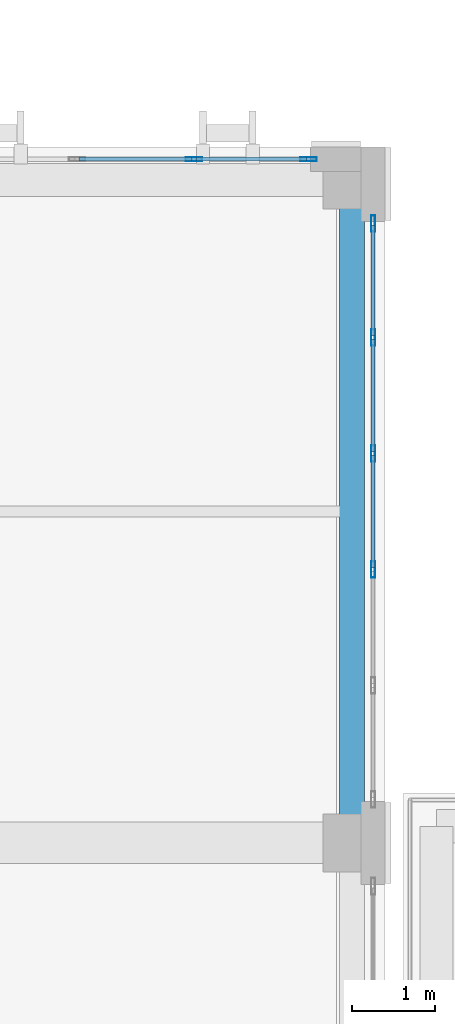
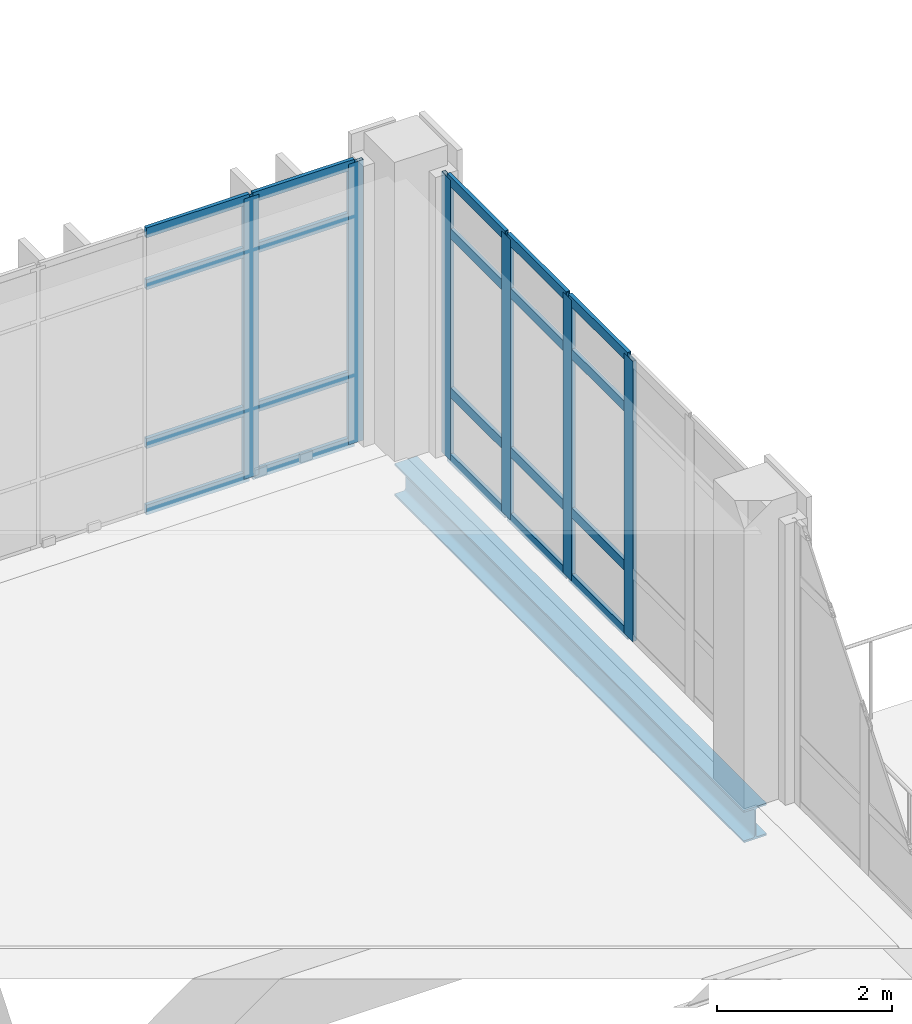
# One storey, part 53 of 165: 26 members, 1 beam, 2 elements without a shape of their own.
"""IFC4 building model written with IfcOpenShell, lengths in metres."""

import ifcopenshell
import ifcopenshell.guid

model = None  # the IFC model being written
_history = None  # IfcOwnerHistory: only IFC2X3 demands one
_inside = {}  # id of a spatial element -> (the spatial element, [elements in it])
_under = {}  # id of a project, library or spatial element -> (it, [spatial elements below it])
_declared = {}  # id of a project -> (the project, [libraries it declares])
_typed = {}  # id of a type object -> (the type object, [elements of that type])
_made_of = {}  # id of a material, layer set ... -> (it, [elements and type objects made of it])


def new_model(schema):
    """Start an empty IFC model of exactly this schema.

    Asked for "IFC4X3", IfcOpenShell would pick the latest addendum, in which some entities
    have other attributes; the version numbers below select the first issue.
    IFC2X3 requires an IfcOwnerHistory on every rooted entity: one is made here for all.
    """
    global model, _history
    if schema == "IFC4X3":
        model = ifcopenshell.file(schema_version=(4, 3, 0, 0))
    else:
        model = ifcopenshell.file(schema=schema)
    _inside.clear()
    _under.clear()
    _declared.clear()
    _typed.clear()
    _made_of.clear()
    _history = None
    if model.schema == "IFC2X3":
        org = make("IfcOrganization", Name="unknown")
        user = make(
            "IfcPersonAndOrganization",
            ThePerson=make("IfcPerson", FamilyName="unknown"),
            TheOrganization=org,
        )
        app = make(
            "IfcApplication",
            ApplicationDeveloper=org,
            Version="unknown",
            ApplicationFullName="unknown",
            ApplicationIdentifier="unknown",
        )
        _history = make(
            "IfcOwnerHistory",
            OwningUser=user,
            OwningApplication=app,
            ChangeAction="ADDED",
            CreationDate=0,
        )
    return model


def make(cls, **values):
    """One entity of the class cls with the attributes given. An attribute that is None is left unset."""
    return model.create_entity(
        cls, **{name: value for name, value in values.items() if value is not None}
    )


def rooted(cls, **values):
    """An entity with a GlobalId (a new one), such as an element, a storey or a relation."""
    return make(cls, GlobalId=ifcopenshell.guid.new(), OwnerHistory=_history, **values)


def si_unit(unit_type, name, prefix=None):
    """IfcSIUnit, for example si_unit("LENGTHUNIT", "METRE", prefix="MILLI")."""
    return make("IfcSIUnit", UnitType=unit_type, Prefix=prefix, Name=name)


def assignment(units):
    """IfcUnitAssignment: the units of a project."""
    return None if units is None else make("IfcUnitAssignment", Units=units)


def point(xyz):
    """IfcCartesianPoint."""
    return None if xyz is None else make("IfcCartesianPoint", Coordinates=xyz)


def direction(xyz):
    """IfcDirection."""
    return None if xyz is None else make("IfcDirection", DirectionRatios=xyz)


def frame(location, z_axis=None, x_axis=None):
    """IfcAxis2Placement3D, a coordinate frame: its origin and axes. An axis left out is left unset."""
    return make(
        "IfcAxis2Placement3D",
        Location=point(location),
        Axis=direction(z_axis),
        RefDirection=direction(x_axis),
    )


def frame_2d(location, x_axis=None):
    """IfcAxis2Placement2D, a coordinate frame in the plane: its origin and x axis."""
    return make(
        "IfcAxis2Placement2D", Location=point(location), RefDirection=direction(x_axis)
    )


def origin():
    """The frame at (0, 0, 0) with its axes left unset."""
    return frame((0.0, 0.0, 0.0))


def origin_2d():
    """The frame at (0, 0) in the plane with its x axis left unset."""
    return frame_2d((0.0, 0.0))


def place(relative_to, where):
    """IfcLocalPlacement: puts the frame where relative to a parent placement (None: the world)."""
    return make(
        "IfcLocalPlacement", PlacementRelTo=relative_to, RelativePlacement=where
    )


def context(
    kind, dimensions, precision=None, world=None, true_north=None, identifier=None
):
    """IfcGeometricRepresentationContext, for example the 3D "Model" context."""
    return make(
        "IfcGeometricRepresentationContext",
        ContextIdentifier=identifier,
        ContextType=kind,
        CoordinateSpaceDimension=dimensions,
        Precision=precision,
        WorldCoordinateSystem=world,
        TrueNorth=true_north,
    )


def subcontext(parent, identifier, kind, view, scale=None):
    """IfcGeometricRepresentationSubContext, for example "Body" below "Model"."""
    return make(
        "IfcGeometricRepresentationSubContext",
        ContextIdentifier=identifier,
        ContextType=kind,
        ParentContext=parent,
        TargetScale=scale,
        TargetView=view,
    )


def project(units=None, contexts=None):
    """IfcProject with its units and contexts."""
    return rooted(
        "IfcProject",
        Name="project",
        RepresentationContexts=contexts,
        UnitsInContext=assignment(units),
    )


def spatial(cls, under=None, at=None, **own):
    """A site, building, storey or space (cls), placed at a placement, below another one or the project."""
    s = rooted(cls, ObjectPlacement=at, **own)
    if under is not None:
        _under.setdefault(under.id(), (under, []))[1].append(s)
    return s


def profile(cls, at=None, kind="AREA", **sizes):
    """A parametric profile (cls). Its sizes go by their IFC names, for example OverallWidth=200.0."""
    return make(cls, ProfileType=kind, Position=at, **sizes)


def hollow_rectangle(**sizes):
    """IfcRectangleHollowProfileDef."""
    return profile("IfcRectangleHollowProfileDef", **sizes)


def i_section(**sizes):
    """IfcIShapeProfileDef."""
    return profile("IfcIShapeProfileDef", **sizes)


def extrude(swept, where, along, depth):
    """IfcExtrudedAreaSolid: the profile swept, set in the frame where, extruded along a direction by depth."""
    return make(
        "IfcExtrudedAreaSolid",
        SweptArea=swept,
        Position=where,
        ExtrudedDirection=direction(along),
        Depth=depth,
    )


def shape(context_of_items, identifier, shape_type, items):
    """IfcShapeRepresentation: the items that make up one representation, for example the "Body"."""
    return make(
        "IfcShapeRepresentation",
        ContextOfItems=context_of_items,
        RepresentationIdentifier=identifier,
        RepresentationType=shape_type,
        Items=items,
    )


def material(Name=None, Category=None):
    """IfcMaterial."""
    return make("IfcMaterial", Name=Name, Category=Category)


def layer(
    of_material, thickness, ventilated=None, Name=None, Category=None, Priority=None
):
    """IfcMaterialLayer: one layer of a wall or slab, of a material (None: an air gap)."""
    return make(
        "IfcMaterialLayer",
        Material=of_material,
        LayerThickness=thickness,
        IsVentilated=ventilated,
        Name=Name,
        Category=Category,
        Priority=Priority,
    )


def layer_set(layers, Name=None):
    """IfcMaterialLayerSet."""
    return make("IfcMaterialLayerSet", MaterialLayers=layers, LayerSetName=Name)


def material_profile(
    of_material, cross_section, Name=None, Category=None, Priority=None
):
    """IfcMaterialProfile: a cross section and its material."""
    return make(
        "IfcMaterialProfile",
        Name=Name,
        Material=of_material,
        Profile=cross_section,
        Priority=Priority,
        Category=Category,
    )


def profile_set(profiles, Name=None, composite=None):
    """IfcMaterialProfileSet."""
    return make(
        "IfcMaterialProfileSet",
        Name=Name,
        MaterialProfiles=profiles,
        CompositeProfile=composite,
    )


def made_of(thing, what):
    """Note that an element or type object is made of a material, layer set ...; save() writes the relation."""
    if what is not None:
        _made_of.setdefault(what.id(), (what, []))[1].append(thing)
    return thing


def type_object(cls, material=None, **own):
    """A type object (cls), such as IfcWallType, which elements share."""
    return made_of(rooted(cls, **own), material)


def element(
    cls,
    number,
    at=None,
    inside=None,
    cuts=None,
    type_object=None,
    material=None,
    context=None,
    identifier="Body",
    shape_type=None,
    held_by="IfcProductDefinitionShape",
    body=None,
    shapes=None,
    **own,
):
    """One element of the class cls, such as IfcWall. Its Tag is "e" and its number.

    at: its placement. inside: the storey or other place that contains it. cuts: it is an
    opening in that element (IfcRelVoidsElement). A single representation is given by context,
    identifier, shape_type and body (its items); several are given by shapes. held_by: the class
    of the entity that holds the representations. save() writes the other relations.
    """
    e = rooted(cls, Tag="e%d" % number, ObjectPlacement=at, **own)
    if body is not None:
        shapes = [shape(context, identifier, shape_type, body)]
    if shapes is not None:
        e.Representation = make(held_by, Representations=shapes)
    if inside is not None:
        _inside.setdefault(inside.id(), (inside, []))[1].append(e)
    if cuts is not None:
        rooted(
            "IfcRelVoidsElement", RelatingBuildingElement=cuts, RelatedOpeningElement=e
        )
    if type_object is not None:
        _typed.setdefault(type_object.id(), (type_object, []))[1].append(e)
    return made_of(e, material)


def aggregate(whole, parts):
    """IfcRelAggregates: a whole, such as a stair, and the parts it consists of."""
    return rooted("IfcRelAggregates", RelatingObject=whole, RelatedObjects=parts)


def save(model, path):
    """Write the relations noted so far, then the file.

    IfcRelAggregates (storeys below a building ...), IfcRelContainedInSpatialStructure (elements
    in a storey), IfcRelDefinesByType, IfcRelAssociatesMaterial and IfcRelDeclares: one each for
    every whole, place, type object, material and project.
    """
    for whole, parts in _under.values():
        aggregate(whole, parts)
    for where, things in _inside.values():
        rooted(
            "IfcRelContainedInSpatialStructure",
            RelatedElements=things,
            RelatingStructure=where,
        )
    for kind, things in _typed.values():
        rooted("IfcRelDefinesByType", RelatedObjects=things, RelatingType=kind)
    for what, things in _made_of.values():
        rooted("IfcRelAssociatesMaterial", RelatedObjects=things, RelatingMaterial=what)
    for by, libraries in _declared.values():
        rooted("IfcRelDeclares", RelatingContext=by, RelatedDefinitions=libraries)
    model.write(path)


model = new_model("IFC4")

# Units and contexts
model_context = context("Model", 3, precision=1e-05, world=origin(), true_north=direction((0.0, 1.0)))
body_context = subcontext(model_context, "Body", "Model", "MODEL_VIEW")
ifc_project = project(units=[si_unit("LENGTHUNIT", "METRE"), si_unit("AREAUNIT", "SQUARE_METRE"), si_unit("VOLUMEUNIT", "CUBIC_METRE"), si_unit("PLANEANGLEUNIT", "RADIAN"), si_unit("MASSUNIT", "GRAM", prefix="KILO")], contexts=[model_context])

# Site, building, storey
site_placement = place(None, origin())
site = spatial("IfcSite", under=ifc_project, at=site_placement, CompositionType="ELEMENT")
building_placement = place(site_placement, origin())
building = spatial("IfcBuilding", under=site, at=building_placement, Name="Qalavern Law Courts", CompositionType="ELEMENT")
storey_placement = place(building_placement, frame((0.0, 0.0, 14.39990234375)))
storey = spatial("IfcBuildingStorey", under=building, at=storey_placement, Name="L03", CompositionType="ELEMENT", Elevation=14.39990234375)

# Curtain wall, members
ifc_material_1 = material(Name="Anodised aluminium and insulated glazing", Category="aluminium")
ifc_layer = layer(ifc_material_1, 0.18505859375)
ifc_layer_set = layer_set([ifc_layer], Name="Anodised aluminium and insulated glazing")
curtain_wall_type = type_object("IfcCurtainWallType", Name="ENV-CW-HALL", PredefinedType="USERDEFINED", material=ifc_layer_set)
curtain_wall_1_placement = place(storey_placement, origin())
curtain_wall_1 = element("IfcCurtainWall", 1, at=curtain_wall_1_placement, inside=storey, type_object=curtain_wall_type, Name="V2 unitised curtain wall L03 east 2", ObjectType="UNITISED CURTAIN WALL", PredefinedType="USERDEFINED")
ifc_material_2 = material(Name="Anodised aluminium", Category="aluminium")
ifc_material_profile_1 = material_profile(ifc_material_2, hollow_rectangle(XDim=0.048095703125, YDim=0.199951171875, WallThickness=0.00439453125, at=origin_2d()), Name="ALU MULLION 48x200")
ifc_profile_set_1 = profile_set([ifc_material_profile_1], Name="Anodised aluminium")
member_type_1 = type_object("IfcMemberType", Name="ENV-CWM-48x200", PredefinedType="MULLION", material=ifc_profile_set_1)
member_1_placement = place(storey_placement, frame((101.052490234375, 25.300048828125, 0.0), z_axis=(0.0, 0.0, 1.0), x_axis=(-1.0, 0.0, 0.0)))
member_1 = element("IfcMember", 2, at=member_1_placement, type_object=member_type_1, Name="CW-02 mullion 3", PredefinedType="MULLION", context=body_context, shape_type="SweptSolid", body=[
    extrude(hollow_rectangle(XDim=0.048095703125, YDim=0.199951171875, WallThickness=0.00439453125, at=origin_2d()), origin(), (0.0, 0.0, 1.0), 3.920166015625),
])
member_2_placement = place(storey_placement, frame((101.052490234375, 26.699951171875, 0.0), z_axis=(0.0, 0.0, 1.0), x_axis=(-1.0, 0.0, 0.0)))
member_2 = element("IfcMember", 3, at=member_2_placement, type_object=member_type_1, Name="CW-02 mullion 4", PredefinedType="MULLION", context=body_context, shape_type="SweptSolid", body=[
    extrude(hollow_rectangle(XDim=0.048095703125, YDim=0.199951171875, WallThickness=0.00439453125, at=origin_2d()), origin(), (0.0, 0.0, 1.0), 3.920166015625),
])
member_3_placement = place(storey_placement, frame((101.052490234375, 28.10009765625, 0.0), z_axis=(0.0, 0.0, 1.0), x_axis=(-1.0, 0.0, 0.0)))
member_3 = element("IfcMember", 4, at=member_3_placement, type_object=member_type_1, Name="CW-02 mullion 5", PredefinedType="MULLION", context=body_context, shape_type="SweptSolid", body=[
    extrude(hollow_rectangle(XDim=0.048095703125, YDim=0.199951171875, WallThickness=0.00439453125, at=origin_2d()), origin(), (0.0, 0.0, 1.0), 3.920166015625),
])
member_4_placement = place(storey_placement, frame((101.052490234375, 29.47607421875, 0.0), z_axis=(0.0, 0.0, 1.0), x_axis=(-1.0, 0.0, 0.0)))
member_4 = element("IfcMember", 5, at=member_4_placement, type_object=member_type_1, Name="CW-02 mullion 6", PredefinedType="MULLION", context=body_context, shape_type="SweptSolid", body=[
    extrude(hollow_rectangle(XDim=0.048095703125, YDim=0.199951171875, WallThickness=0.00439453125, at=origin_2d()), origin(), (0.0, 0.0, 1.0), 3.920166015625),
])

curtain_wall_2_placement = place(storey_placement, origin())
curtain_wall_2 = element("IfcCurtainWall", 6, at=curtain_wall_2_placement, inside=storey, type_object=curtain_wall_type, Name="V2 unitised curtain wall L03 north 1", ObjectType="UNITISED CURTAIN WALL", PredefinedType="USERDEFINED")
member_5_placement = place(storey_placement, frame((100.27587890625, 30.25244140625, 0.0), z_axis=(0.0, 0.0, 1.0), x_axis=(0.0, -1.0, 0.0)))
member_5 = element("IfcMember", 7, at=member_5_placement, type_object=member_type_1, Name="CW-02 mullion 1", PredefinedType="MULLION", context=body_context, shape_type="SweptSolid", body=[
    extrude(hollow_rectangle(XDim=0.048095703125, YDim=0.199951171875, WallThickness=0.00439453125, at=origin_2d()), origin(), (0.0, 0.0, 1.0), 3.920166015625),
])
member_6_placement = place(storey_placement, frame((98.890869140625, 30.25244140625, 0.0), z_axis=(0.0, 0.0, 1.0), x_axis=(0.0, -1.0, 0.0)))
member_6 = element("IfcMember", 8, at=member_6_placement, type_object=member_type_1, Name="CW-02 mullion 2", PredefinedType="MULLION", context=body_context, shape_type="SweptSolid", body=[
    extrude(hollow_rectangle(XDim=0.048095703125, YDim=0.199951171875, WallThickness=0.00439453125, at=origin_2d()), origin(), (0.0, 0.0, 1.0), 3.920166015625),
])

# Member
ifc_material_profile_2 = material_profile(ifc_material_2, hollow_rectangle(XDim=0.048095703125, YDim=0.139892578125, WallThickness=0.00390625, at=origin_2d()), Name="ALU TRANSOM 48x140")
ifc_profile_set_2 = profile_set([ifc_material_profile_2], Name="Anodised aluminium")
member_type_2 = type_object("IfcMemberType", Name="ENV-CWT-48x140", PredefinedType="USERDEFINED", material=ifc_profile_set_2)
member_7_placement = place(storey_placement, frame((101.052490234375, 25.323974609375, 0.024169921875), z_axis=(0.0, 1.0, 0.0), x_axis=(-1.0, 0.0, 0.0)))
member_7 = element("IfcMember", 9, at=member_7_placement, type_object=member_type_2, Name="CW-02 transom 3.1", ObjectType="TRANSOM", PredefinedType="USERDEFINED", context=body_context, shape_type="SweptSolid", body=[
    extrude(hollow_rectangle(XDim=0.048095703125, YDim=0.139892578125, WallThickness=0.00390625, at=origin_2d()), origin(), (0.0, 0.0, 1.0), 1.35205078125),
])

member_8_placement = place(storey_placement, frame((101.052490234375, 25.323974609375, 0.9501953125), z_axis=(0.0, 1.0, 0.0), x_axis=(-1.0, 0.0, 0.0)))
member_8 = element("IfcMember", 10, at=member_8_placement, type_object=member_type_2, Name="CW-02 transom 3.2", ObjectType="TRANSOM", PredefinedType="USERDEFINED", context=body_context, shape_type="SweptSolid", body=[
    extrude(hollow_rectangle(XDim=0.048095703125, YDim=0.139892578125, WallThickness=0.00390625, at=origin_2d()), origin(), (0.0, 0.0, 1.0), 1.35205078125),
])

member_9_placement = place(storey_placement, frame((101.052490234375, 25.323974609375, 3.170166015625), z_axis=(0.0, 1.0, 0.0), x_axis=(-1.0, 0.0, 0.0)))
member_9 = element("IfcMember", 11, at=member_9_placement, type_object=member_type_2, Name="CW-02 transom 3.3", ObjectType="TRANSOM", PredefinedType="USERDEFINED", context=body_context, shape_type="SweptSolid", body=[
    extrude(hollow_rectangle(XDim=0.048095703125, YDim=0.139892578125, WallThickness=0.00390625, at=origin_2d()), origin(), (0.0, 0.0, 1.0), 1.35205078125),
])

member_10_placement = place(storey_placement, frame((101.052490234375, 25.323974609375, 3.89599609375), z_axis=(0.0, 1.0, 0.0), x_axis=(-1.0, 0.0, 0.0)))
member_10 = element("IfcMember", 12, at=member_10_placement, type_object=member_type_2, Name="CW-02 transom 3.4", ObjectType="TRANSOM", PredefinedType="USERDEFINED", context=body_context, shape_type="SweptSolid", body=[
    extrude(hollow_rectangle(XDim=0.048095703125, YDim=0.139892578125, WallThickness=0.00390625, at=origin_2d()), origin(), (0.0, 0.0, 1.0), 1.35205078125),
])

member_11_placement = place(storey_placement, frame((101.052490234375, 26.72412109375, 0.024169921875), z_axis=(0.0, 1.0, 0.0), x_axis=(-1.0, 0.0, 0.0)))
member_11 = element("IfcMember", 13, at=member_11_placement, type_object=member_type_2, Name="CW-02 transom 4.1", ObjectType="TRANSOM", PredefinedType="USERDEFINED", context=body_context, shape_type="SweptSolid", body=[
    extrude(hollow_rectangle(XDim=0.048095703125, YDim=0.139892578125, WallThickness=0.00390625, at=origin_2d()), origin(), (0.0, 0.0, 1.0), 1.351806640625),
])

member_12_placement = place(storey_placement, frame((101.052490234375, 26.72412109375, 0.9501953125), z_axis=(0.0, 1.0, 0.0), x_axis=(-1.0, 0.0, 0.0)))
member_12 = element("IfcMember", 14, at=member_12_placement, type_object=member_type_2, Name="CW-02 transom 4.2", ObjectType="TRANSOM", PredefinedType="USERDEFINED", context=body_context, shape_type="SweptSolid", body=[
    extrude(hollow_rectangle(XDim=0.048095703125, YDim=0.139892578125, WallThickness=0.00390625, at=origin_2d()), origin(), (0.0, 0.0, 1.0), 1.351806640625),
])

member_13_placement = place(storey_placement, frame((101.052490234375, 26.72412109375, 3.170166015625), z_axis=(0.0, 1.0, 0.0), x_axis=(-1.0, 0.0, 0.0)))
member_13 = element("IfcMember", 15, at=member_13_placement, type_object=member_type_2, Name="CW-02 transom 4.3", ObjectType="TRANSOM", PredefinedType="USERDEFINED", context=body_context, shape_type="SweptSolid", body=[
    extrude(hollow_rectangle(XDim=0.048095703125, YDim=0.139892578125, WallThickness=0.00390625, at=origin_2d()), origin(), (0.0, 0.0, 1.0), 1.351806640625),
])

member_14_placement = place(storey_placement, frame((101.052490234375, 26.72412109375, 3.89599609375), z_axis=(0.0, 1.0, 0.0), x_axis=(-1.0, 0.0, 0.0)))
member_14 = element("IfcMember", 16, at=member_14_placement, type_object=member_type_2, Name="CW-02 transom 4.4", ObjectType="TRANSOM", PredefinedType="USERDEFINED", context=body_context, shape_type="SweptSolid", body=[
    extrude(hollow_rectangle(XDim=0.048095703125, YDim=0.139892578125, WallThickness=0.00390625, at=origin_2d()), origin(), (0.0, 0.0, 1.0), 1.351806640625),
])

member_15_placement = place(storey_placement, frame((101.052490234375, 28.1240234375, 0.024169921875), z_axis=(0.0, 1.0, 0.0), x_axis=(-1.0, 0.0, 0.0)))
member_15 = element("IfcMember", 17, at=member_15_placement, type_object=member_type_2, Name="CW-02 transom 5.1", ObjectType="TRANSOM", PredefinedType="USERDEFINED", context=body_context, shape_type="SweptSolid", body=[
    extrude(hollow_rectangle(XDim=0.048095703125, YDim=0.139892578125, WallThickness=0.00390625, at=origin_2d()), origin(), (0.0, 0.0, 1.0), 1.327880859375),
])

member_16_placement = place(storey_placement, frame((101.052490234375, 28.1240234375, 0.9501953125), z_axis=(0.0, 1.0, 0.0), x_axis=(-1.0, 0.0, 0.0)))
member_16 = element("IfcMember", 18, at=member_16_placement, type_object=member_type_2, Name="CW-02 transom 5.2", ObjectType="TRANSOM", PredefinedType="USERDEFINED", context=body_context, shape_type="SweptSolid", body=[
    extrude(hollow_rectangle(XDim=0.048095703125, YDim=0.139892578125, WallThickness=0.00390625, at=origin_2d()), origin(), (0.0, 0.0, 1.0), 1.327880859375),
])

member_17_placement = place(storey_placement, frame((101.052490234375, 28.1240234375, 3.170166015625), z_axis=(0.0, 1.0, 0.0), x_axis=(-1.0, 0.0, 0.0)))
member_17 = element("IfcMember", 19, at=member_17_placement, type_object=member_type_2, Name="CW-02 transom 5.3", ObjectType="TRANSOM", PredefinedType="USERDEFINED", context=body_context, shape_type="SweptSolid", body=[
    extrude(hollow_rectangle(XDim=0.048095703125, YDim=0.139892578125, WallThickness=0.00390625, at=origin_2d()), origin(), (0.0, 0.0, 1.0), 1.327880859375),
])

member_18_placement = place(storey_placement, frame((101.052490234375, 28.1240234375, 3.89599609375), z_axis=(0.0, 1.0, 0.0), x_axis=(-1.0, 0.0, 0.0)))
member_18 = element("IfcMember", 20, at=member_18_placement, type_object=member_type_2, Name="CW-02 transom 5.4", ObjectType="TRANSOM", PredefinedType="USERDEFINED", context=body_context, shape_type="SweptSolid", body=[
    extrude(hollow_rectangle(XDim=0.048095703125, YDim=0.139892578125, WallThickness=0.00390625, at=origin_2d()), origin(), (0.0, 0.0, 1.0), 1.327880859375),
])

aggregate(curtain_wall_1, [member_1, member_2, member_3, member_4, member_7, member_8, member_9, member_10, member_11, member_12, member_13, member_14, member_15, member_16, member_17, member_18])

member_19_placement = place(storey_placement, frame((100.251953125, 30.25244140625, 0.024169921875), z_axis=(-1.0, 0.0, 0.0), x_axis=(0.0, -1.0, 0.0)))
member_19 = element("IfcMember", 21, at=member_19_placement, type_object=member_type_2, Name="CW-02 transom 1.1", ObjectType="TRANSOM", PredefinedType="USERDEFINED", context=body_context, shape_type="SweptSolid", body=[
    extrude(hollow_rectangle(XDim=0.048095703125, YDim=0.139892578125, WallThickness=0.00390625, at=origin_2d()), origin(), (0.0, 0.0, 1.0), 1.3369140625),
])

member_20_placement = place(storey_placement, frame((100.251953125, 30.25244140625, 0.9501953125), z_axis=(-1.0, 0.0, 0.0), x_axis=(0.0, -1.0, 0.0)))
member_20 = element("IfcMember", 22, at=member_20_placement, type_object=member_type_2, Name="CW-02 transom 1.2", ObjectType="TRANSOM", PredefinedType="USERDEFINED", context=body_context, shape_type="SweptSolid", body=[
    extrude(hollow_rectangle(XDim=0.048095703125, YDim=0.139892578125, WallThickness=0.00390625, at=origin_2d()), origin(), (0.0, 0.0, 1.0), 1.3369140625),
])

member_21_placement = place(storey_placement, frame((100.251953125, 30.25244140625, 3.170166015625), z_axis=(-1.0, 0.0, 0.0), x_axis=(0.0, -1.0, 0.0)))
member_21 = element("IfcMember", 23, at=member_21_placement, type_object=member_type_2, Name="CW-02 transom 1.3", ObjectType="TRANSOM", PredefinedType="USERDEFINED", context=body_context, shape_type="SweptSolid", body=[
    extrude(hollow_rectangle(XDim=0.048095703125, YDim=0.139892578125, WallThickness=0.00390625, at=origin_2d()), origin(), (0.0, 0.0, 1.0), 1.3369140625),
])

member_22_placement = place(storey_placement, frame((100.251953125, 30.25244140625, 3.89599609375), z_axis=(-1.0, 0.0, 0.0), x_axis=(0.0, -1.0, 0.0)))
member_22 = element("IfcMember", 24, at=member_22_placement, type_object=member_type_2, Name="CW-02 transom 1.4", ObjectType="TRANSOM", PredefinedType="USERDEFINED", context=body_context, shape_type="SweptSolid", body=[
    extrude(hollow_rectangle(XDim=0.048095703125, YDim=0.139892578125, WallThickness=0.00390625, at=origin_2d()), origin(), (0.0, 0.0, 1.0), 1.3369140625),
])

member_23_placement = place(storey_placement, frame((98.866943359375, 30.25244140625, 0.024169921875), z_axis=(-1.0, 0.0, 0.0), x_axis=(0.0, -1.0, 0.0)))
member_23 = element("IfcMember", 25, at=member_23_placement, type_object=member_type_2, Name="CW-02 transom 2.1", ObjectType="TRANSOM", PredefinedType="USERDEFINED", context=body_context, shape_type="SweptSolid", body=[
    extrude(hollow_rectangle(XDim=0.048095703125, YDim=0.139892578125, WallThickness=0.00390625, at=origin_2d()), origin(), (0.0, 0.0, 1.0), 1.361083984375),
])

member_24_placement = place(storey_placement, frame((98.866943359375, 30.25244140625, 0.9501953125), z_axis=(-1.0, 0.0, 0.0), x_axis=(0.0, -1.0, 0.0)))
member_24 = element("IfcMember", 26, at=member_24_placement, type_object=member_type_2, Name="CW-02 transom 2.2", ObjectType="TRANSOM", PredefinedType="USERDEFINED", context=body_context, shape_type="SweptSolid", body=[
    extrude(hollow_rectangle(XDim=0.048095703125, YDim=0.139892578125, WallThickness=0.00390625, at=origin_2d()), origin(), (0.0, 0.0, 1.0), 1.361083984375),
])

member_25_placement = place(storey_placement, frame((98.866943359375, 30.25244140625, 3.170166015625), z_axis=(-1.0, 0.0, 0.0), x_axis=(0.0, -1.0, 0.0)))
member_25 = element("IfcMember", 27, at=member_25_placement, type_object=member_type_2, Name="CW-02 transom 2.3", ObjectType="TRANSOM", PredefinedType="USERDEFINED", context=body_context, shape_type="SweptSolid", body=[
    extrude(hollow_rectangle(XDim=0.048095703125, YDim=0.139892578125, WallThickness=0.00390625, at=origin_2d()), origin(), (0.0, 0.0, 1.0), 1.361083984375),
])

member_26_placement = place(storey_placement, frame((98.866943359375, 30.25244140625, 3.89599609375), z_axis=(-1.0, 0.0, 0.0), x_axis=(0.0, -1.0, 0.0)))
member_26 = element("IfcMember", 28, at=member_26_placement, type_object=member_type_2, Name="CW-02 transom 2.4", ObjectType="TRANSOM", PredefinedType="USERDEFINED", context=body_context, shape_type="SweptSolid", body=[
    extrude(hollow_rectangle(XDim=0.048095703125, YDim=0.139892578125, WallThickness=0.00390625, at=origin_2d()), origin(), (0.0, 0.0, 1.0), 1.361083984375),
])

aggregate(curtain_wall_2, [member_5, member_6, member_19, member_20, member_21, member_22, member_23, member_24, member_25, member_26])

# Beam
ifc_material_3 = material(Name="Steel S355", Category="steel")
ifc_material_profile_3 = material_profile(ifc_material_3, i_section(OverallWidth=0.300048828125, OverallDepth=0.449951171875, WebThickness=0.013916015625, FlangeThickness=0.02587890625, FilletRadius=0.027099609375, at=origin_2d()), Name="HEB 450")
ifc_profile_set_3 = profile_set([ifc_material_profile_3], Name="Steel S355")
beam_type = type_object("IfcBeamType", Name="STR-SP-HEB450", PredefinedType="SPANDREL", material=ifc_profile_set_3)
beam_placement = place(storey_placement, frame((100.800048828125, 22.0, -0.510009765625), z_axis=(0.0, 1.0, 0.0), x_axis=(-1.0, 0.0, 0.0)))
element("IfcBeam", 29, at=beam_placement, inside=storey, type_object=beam_type, Name="V2 Y-beam 8-3 L03", PredefinedType="SPANDREL", context=body_context, shape_type="SweptSolid", body=[
    extrude(i_section(OverallWidth=0.300048828125, OverallDepth=0.449951171875, WebThickness=0.013916015625, FlangeThickness=0.02587890625, FilletRadius=0.027099609375, at=origin_2d()), origin(), (0.0, 0.0, 1.0), 8.0),
])

save(model, "model.ifc")
